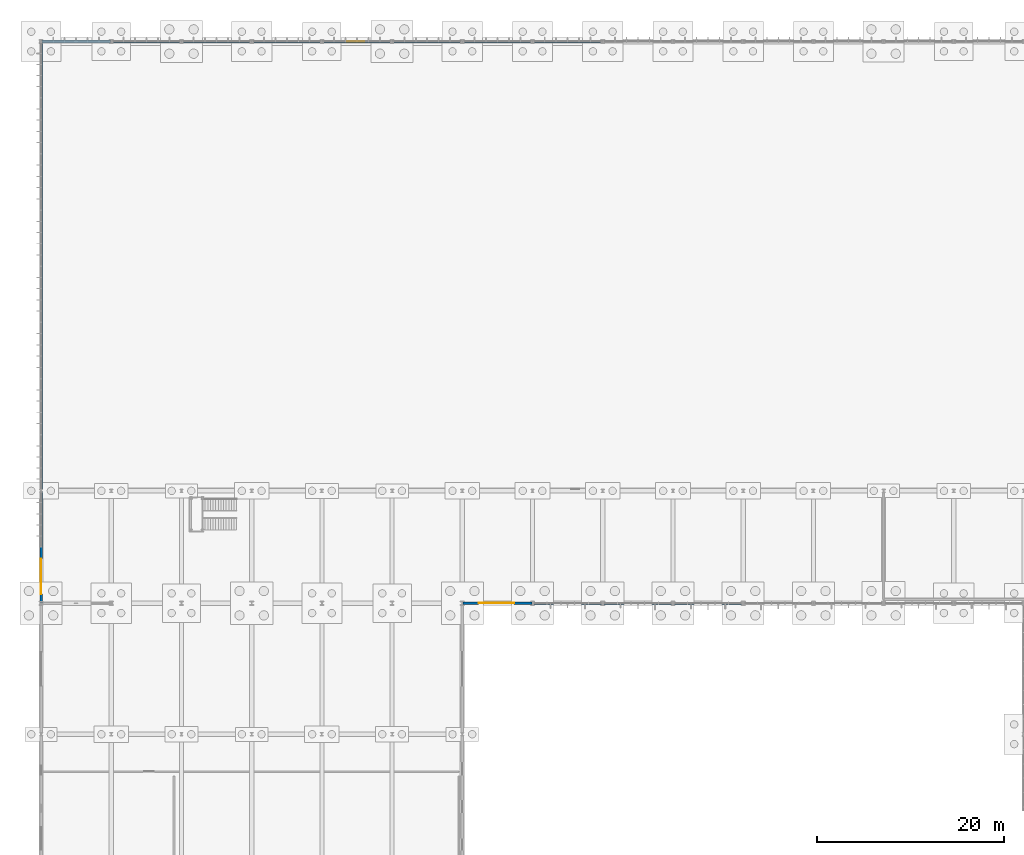
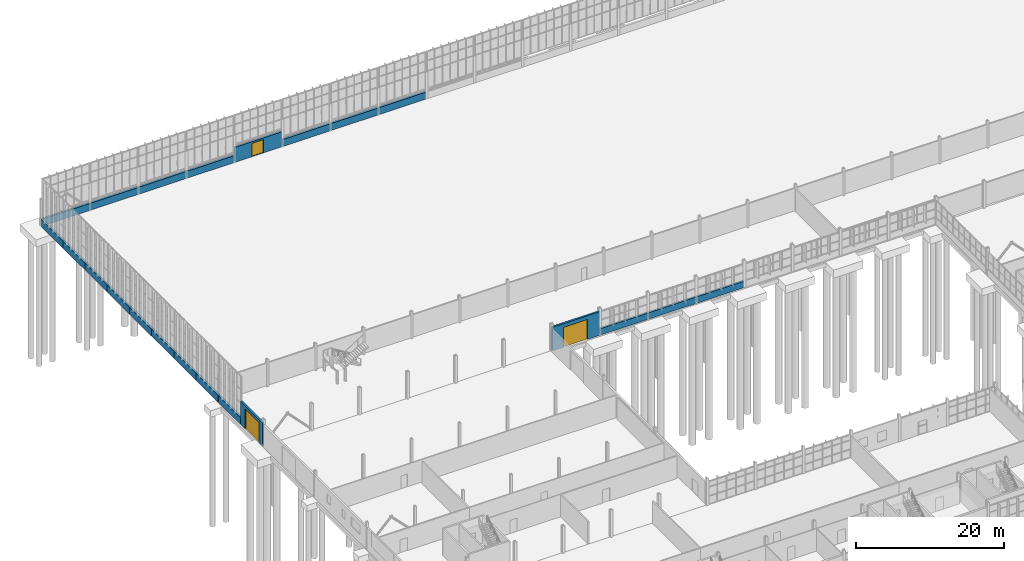
# One storey, part 110 of 136: 22 walls, 3 doors, 3 openings.
"""IFC4 building model written with IfcOpenShell, lengths in metres."""

from ifc_helpers import new_model, si_unit, direction, frame, frame_2d, origin, place, context, subcontext, project, spatial, rectangle, extrude, material, layer, layer_set, type_object, element, fill, save


model = new_model("IFC4")

# Units and contexts
model_context = context("Model", 3, precision=1e-05, world=origin(), true_north=direction((0.0, 1.0)))
body_context = subcontext(model_context, "Body", "Model", "MODEL_VIEW")
ifc_project = project(units=[si_unit("LENGTHUNIT", "METRE"), si_unit("AREAUNIT", "SQUARE_METRE"), si_unit("VOLUMEUNIT", "CUBIC_METRE"), si_unit("PLANEANGLEUNIT", "RADIAN"), si_unit("MASSUNIT", "GRAM", prefix="KILO")], contexts=[model_context])

# Site, building, storey
site_placement = place(None, origin())
site = spatial("IfcSite", under=ifc_project, at=site_placement, CompositionType="ELEMENT")
building_placement = place(site_placement, origin())
building = spatial("IfcBuilding", under=site, at=building_placement, Name="Solvenia Promenade Tram Depot", CompositionType="ELEMENT")
storey_placement = place(building_placement, origin())
storey = spatial("IfcBuildingStorey", under=building, at=storey_placement, Name="L00", CompositionType="ELEMENT", Elevation=0.0)

# Wall, opening, door
ifc_material_1 = material(Name="Concrete C35/45", Category="concrete")
ifc_layer_1 = layer(ifc_material_1, 0.300048828125, Name="Concrete C35/45", Category="concrete")
ifc_layer_set_1 = layer_set([ifc_layer_1], Name="Concrete C35/45")
wall_type_1 = type_object("IfcWallType", Name="Wall-Plinth-300", PredefinedType="SOLIDWALL", material=ifc_layer_set_1)
wall_1_placement = place(storey_placement, frame((30.080078125, 126.0, 0.0), z_axis=(0.0, 0.0, 1.0), x_axis=(1.0, 0.0, 0.0)))
wall_1 = element("IfcWall", 1, at=wall_1_placement, inside=storey, type_object=wall_type_1, Name="North Shed Exit Plinth Wall EW-L00-005", PredefinedType="SOLIDWALL", context=body_context, shape_type="SweptSolid", body=[
    extrude(rectangle(XDim=7.33984375, YDim=0.300048828125, at=frame_2d((3.669921875, 0.0))), origin(), (0.0, 0.0, 1.0), 2.472900390625),
])
opening_1_placement = place(wall_1_placement, frame((2.64990234375, 0.0, 0.0)))
opening_1 = element("IfcOpeningElement", 2, at=opening_1_placement, cuts=wall_1, Name="Opening ED-01", PredefinedType="OPENING", context=body_context, shape_type="SweptSolid", body=[
    extrude(rectangle(XDim=1.800048828125, YDim=2.199951171875, at=frame_2d((0.89990234375, 1.10009765625))), frame((0.0, 0.159912109375, 0.0), z_axis=(0.0, -1.0, 0.0), x_axis=(1.0, 0.0, 0.0)), (0.0, 0.0, 1.0), 0.320068359375),
])
ifc_material_2 = material(Name="Galvanized painted sheet steel", Category="steel")
door_type_1 = type_object("IfcDoorType", Name="Door-Exit-1800x2200", OperationType="NOTDEFINED", PredefinedType="DOOR", material=ifc_material_2)
door_1_placement = place(opening_1_placement, origin())
door_1 = element("IfcDoor", 3, at=door_1_placement, inside=storey, type_object=door_type_1, Name="Pedestrian Exit Door ED-01", OperationType="SINGLE_SWING_LEFT", OverallHeight=2.199951171875, OverallWidth=1.800048828125, PredefinedType="DOOR", context=body_context, shape_type="SweptSolid", body=[
    extrude(rectangle(XDim=1.800048828125, YDim=2.199951171875, at=frame_2d((0.89990234375, 1.10009765625))), frame((0.0, 0.02490234375, 0.0), z_axis=(0.0, -1.0, 0.0), x_axis=(1.0, 0.0, 0.0)), (0.0, 0.0, 1.0), 0.050048828125),
])
fill(opening_1, door_1)

# Walls
for number, where, z_axis, x_axis, name in (
    (4, (52.580078125, 66.0, 0.0), (0.0, 0.0, 1.0), (1.0, 0.0, 0.0), "Courtyard Thermal Plinth EW-L00-022"),
    (5, (60.080078125, 66.0, 0.0), (0.0, 0.0, 1.0), (1.0, 0.0, 0.0), "Courtyard Thermal Plinth EW-L00-023"),
    (6, (67.580078125, 66.0, 0.0), (0.0, 0.0, 1.0), (1.0, 0.0, 0.0), "Courtyard Thermal Plinth EW-L00-024"),
):
    element("IfcWall", number, at=place(storey_placement, frame(where, z_axis=z_axis, x_axis=x_axis)), inside=storey, type_object=wall_type_1, Name=name, PredefinedType="SOLIDWALL", context=body_context, shape_type="SweptSolid", body=[
        extrude(rectangle(XDim=7.33984375, YDim=0.300048828125, at=frame_2d((3.669921875, 0.0))), origin(), (0.0, 0.0, 1.0), 1.050048828125),
    ])
ifc_layer_2 = layer(ifc_material_1, 0.320068359375, Name="Concrete C35/45", Category="concrete")
ifc_layer_set_2 = layer_set([ifc_layer_2], Name="Concrete C35/45")
wall_type_2 = type_object("IfcWallType", Name="Wall-Plinth-320", PredefinedType="SOLIDWALL", material=ifc_layer_set_2)
for number, where, z_axis, x_axis, name in (
    (7, (0.080078125, 126.0, 0.0), (0.0, 0.0, 1.0), (1.0, 0.0, 0.0), "North Sun-Warmed Thermal Plinth EW-L00-001"),
    (8, (7.580078125, 126.0, 0.0), (0.0, 0.0, 1.0), (1.0, 0.0, 0.0), "North Sun-Warmed Thermal Plinth EW-L00-002"),
    (9, (15.080078125, 126.0, 0.0), (0.0, 0.0, 1.0), (1.0, 0.0, 0.0), "North Sun-Warmed Thermal Plinth EW-L00-003"),
    (10, (22.580078125, 126.0, 0.0), (0.0, 0.0, 1.0), (1.0, 0.0, 0.0), "North Sun-Warmed Thermal Plinth EW-L00-004"),
    (11, (37.580078125, 126.0, 0.0), (0.0, 0.0, 1.0), (1.0, 0.0, 0.0), "North Sun-Warmed Thermal Plinth EW-L00-006"),
    (12, (45.080078125, 126.0, 0.0), (0.0, 0.0, 1.0), (1.0, 0.0, 0.0), "North Sun-Warmed Thermal Plinth EW-L00-007"),
    (13, (52.580078125, 126.0, 0.0), (0.0, 0.0, 1.0), (1.0, 0.0, 0.0), "North Sun-Warmed Thermal Plinth EW-L00-008"),
):
    element("IfcWall", number, at=place(storey_placement, frame(where, z_axis=z_axis, x_axis=x_axis)), inside=storey, type_object=wall_type_2, Name=name, PredefinedType="SOLIDWALL", context=body_context, shape_type="SweptSolid", body=[
        extrude(rectangle(XDim=7.33984375, YDim=0.320068359375, at=frame_2d((3.669921875, 0.0))), origin(), (0.0, 0.0, 1.0), 1.14990234375),
    ])
for number, where, z_axis, x_axis, name in (
    (14, (0.0, 72.0, 0.0), (0.0, 0.0, 1.0), (0.0, 1.0, 0.0), "West Gable Plinth Bay 2 EW-L00-030"),
    (15, (0.0, 78.080078125, 0.0), (0.0, 0.0, 1.0), (0.0, 1.0, 0.0), "West Gable Plinth Bay 3 EW-L00-031"),
):
    element("IfcWall", number, at=place(storey_placement, frame(where, z_axis=z_axis, x_axis=x_axis)), inside=storey, type_object=wall_type_2, Name=name, PredefinedType="SOLIDWALL", context=body_context, shape_type="SweptSolid", body=[
        extrude(rectangle(XDim=5.919921875, YDim=0.320068359375, at=frame_2d((2.9599609375, 0.0))), origin(), (0.0, 0.0, 1.0), 1.14990234375),
    ])
for number, where, z_axis, x_axis, name in (
    (16, (0.0, 84.0, 0.0), (0.0, 0.0, 1.0), (0.0, 1.0, 0.0), "West Gable Plinth Bay 4 EW-L00-032"),
    (17, (0.0, 90.0, 0.0), (0.0, 0.0, 1.0), (0.0, 1.0, 0.0), "West Gable Plinth Bay 5 EW-L00-033"),
    (18, (0.0, 96.0, 0.0), (0.0, 0.0, 1.0), (0.0, 1.0, 0.0), "West Gable Plinth Bay 6 EW-L00-034"),
    (19, (0.0, 102.0, 0.0), (0.0, 0.0, 1.0), (0.0, 1.0, 0.0), "West Gable Plinth Bay 7 EW-L00-035"),
    (20, (0.0, 108.0, 0.0), (0.0, 0.0, 1.0), (0.0, 1.0, 0.0), "West Gable Plinth Bay 8 EW-L00-036"),
    (21, (0.0, 114.0, 0.0), (0.0, 0.0, 1.0), (0.0, 1.0, 0.0), "West Gable Plinth Bay 9 EW-L00-037"),
):
    element("IfcWall", number, at=place(storey_placement, frame(where, z_axis=z_axis, x_axis=x_axis)), inside=storey, type_object=wall_type_2, Name=name, PredefinedType="SOLIDWALL", context=body_context, shape_type="SweptSolid", body=[
        extrude(rectangle(XDim=6.0, YDim=0.320068359375, at=frame_2d((3.0, 0.0))), origin(), (0.0, 0.0, 1.0), 1.14990234375),
    ])
wall_2_placement = place(storey_placement, frame((0.0, 120.0, 0.0), z_axis=(0.0, 0.0, 1.0), x_axis=(0.0, 1.0, 0.0)))
element("IfcWall", 22, at=wall_2_placement, inside=storey, type_object=wall_type_2, Name="West Gable Plinth Bay 10 EW-L00-038", PredefinedType="SOLIDWALL", context=body_context, shape_type="SweptSolid", body=[
    extrude(rectangle(XDim=5.919921875, YDim=0.320068359375, at=frame_2d((2.9599609375, 0.0))), origin(), (0.0, 0.0, 1.0), 1.14990234375),
])

# Wall, opening, door
ifc_layer_3 = layer(ifc_material_1, 0.280029296875, Name="Concrete C35/45", Category="concrete")
ifc_layer_set_3 = layer_set([ifc_layer_3], Name="Concrete C35/45")
wall_type_3 = type_object("IfcWallType", Name="Wall-Portal-280", PredefinedType="SOLIDWALL", material=ifc_layer_set_3)
wall_3_placement = place(storey_placement, frame((45.080078125, 66.0, 0.0), z_axis=(0.0, 0.0, 1.0), x_axis=(1.0, 0.0, 0.0)))
wall_3 = element("IfcWall", 23, at=wall_3_placement, inside=storey, type_object=wall_type_3, Name="South Courtyard Bus Portal EW-L00-021", PredefinedType="SOLIDWALL", context=body_context, shape_type="SweptSolid", body=[
    extrude(rectangle(XDim=7.33984375, YDim=0.280029296875, at=frame_2d((3.669921875, 0.0))), origin(), (0.0, 0.0, 1.0), 3.906982421875),
])
opening_2_placement = place(wall_3_placement, frame((1.64990234375, 0.0, 0.0)))
opening_2 = element("IfcOpeningElement", 24, at=opening_2_placement, cuts=wall_3, Name="Opening GT-01", PredefinedType="OPENING", context=body_context, shape_type="SweptSolid", body=[
    extrude(rectangle(XDim=3.800048828125, YDim=3.300048828125, at=frame_2d((1.89990234375, 1.64990234375))), frame((0.0, 0.14990234375, 0.0), z_axis=(0.0, -1.0, 0.0), x_axis=(1.0, 0.0, 0.0)), (0.0, 0.0, 1.0), 0.300048828125),
])
door_type_2 = type_object("IfcDoorType", Name="Gate-Ebus-3800x3800", OperationType="NOTDEFINED", PredefinedType="GATE", material=ifc_material_2)
door_2_placement = place(opening_2_placement, origin())
door_2 = element("IfcDoor", 25, at=door_2_placement, inside=storey, type_object=door_type_2, Name="Overhead Electric Bus Bay Gate 01", OperationType="ROLLINGUP", OverallHeight=3.300048828125, OverallWidth=3.800048828125, PredefinedType="GATE", context=body_context, shape_type="SweptSolid", body=[
    extrude(rectangle(XDim=3.800048828125, YDim=3.300048828125, at=frame_2d((1.89990234375, 1.64990234375))), frame((0.0, 0.02490234375, 0.0), z_axis=(0.0, -1.0, 0.0), x_axis=(1.0, 0.0, 0.0)), (0.0, 0.0, 1.0), 0.050048828125),
])
fill(opening_2, door_2)

wall_4_placement = place(storey_placement, frame((0.0, 66.080078125, 0.0), z_axis=(0.0, 0.0, 1.0), x_axis=(0.0, 1.0, 0.0)))
wall_4 = element("IfcWall", 26, at=wall_4_placement, inside=storey, type_object=wall_type_3, Name="West eBus Entry Portal Wall EW-L00-029", PredefinedType="SOLIDWALL", context=body_context, shape_type="SweptSolid", body=[
    extrude(rectangle(XDim=5.919921875, YDim=0.280029296875, at=frame_2d((2.9599609375, 0.0))), origin(), (0.0, 0.0, 1.0), 3.804931640625),
])
opening_3_placement = place(wall_4_placement, frame((0.8798828125, 0.0, 0.0)))
opening_3 = element("IfcOpeningElement", 27, at=opening_3_placement, cuts=wall_4, Name="Opening GT-W01", PredefinedType="OPENING", context=body_context, shape_type="SweptSolid", body=[
    extrude(rectangle(XDim=3.800048828125, YDim=3.300048828125, at=frame_2d((1.89990234375, 1.64990234375))), frame((0.0, 0.14990234375, 0.0), z_axis=(0.0, -1.0, 0.0), x_axis=(1.0, 0.0, 0.0)), (0.0, 0.0, 1.0), 0.300048828125),
])
door_3_placement = place(opening_3_placement, origin())
door_3 = element("IfcDoor", 28, at=door_3_placement, inside=storey, type_object=door_type_2, Name="Overhead Electric Bus West Entry Gate", OperationType="ROLLINGUP", OverallHeight=3.300048828125, OverallWidth=3.800048828125, PredefinedType="GATE", context=body_context, shape_type="SweptSolid", body=[
    extrude(rectangle(XDim=3.800048828125, YDim=3.300048828125, at=frame_2d((1.89990234375, 1.64990234375))), frame((0.0, 0.02490234375, 0.0), z_axis=(0.0, -1.0, 0.0), x_axis=(1.0, 0.0, 0.0)), (0.0, 0.0, 1.0), 0.050048828125),
])
fill(opening_3, door_3)

save(model, "model.ifc")
